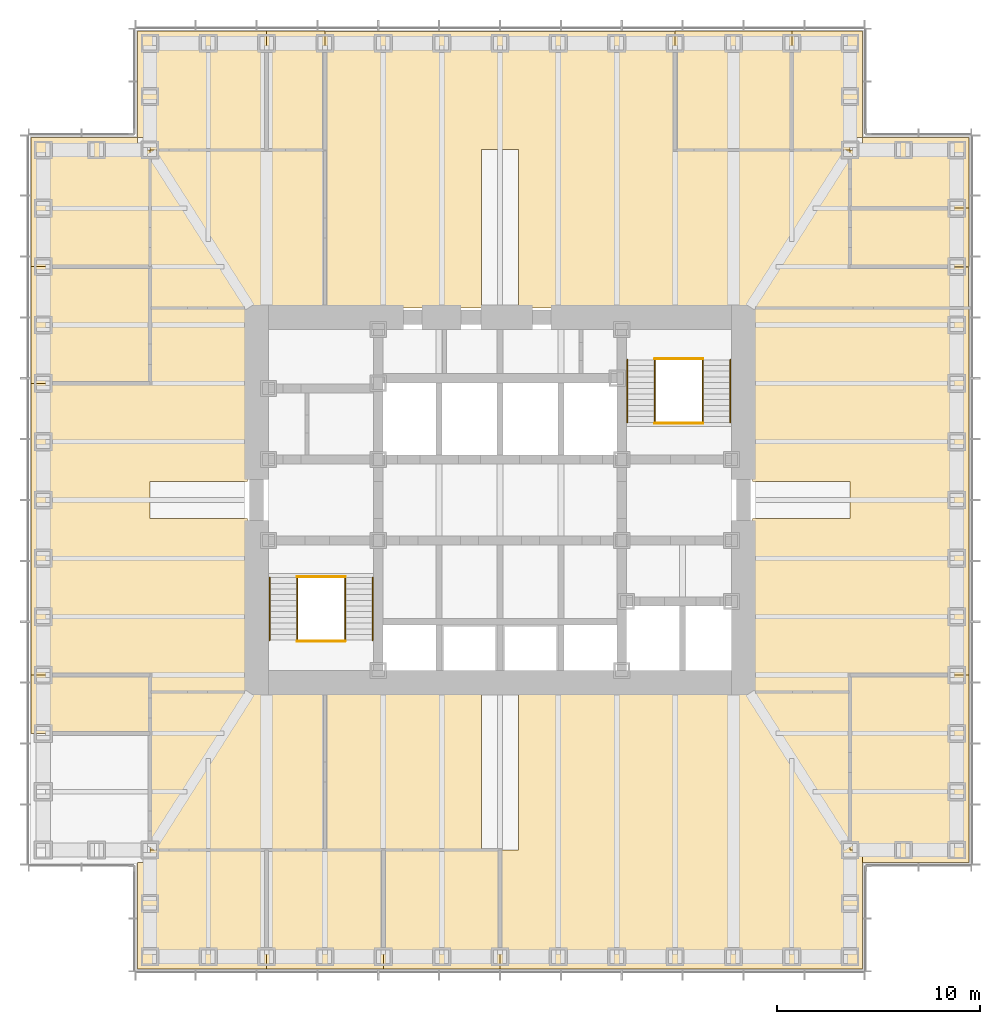
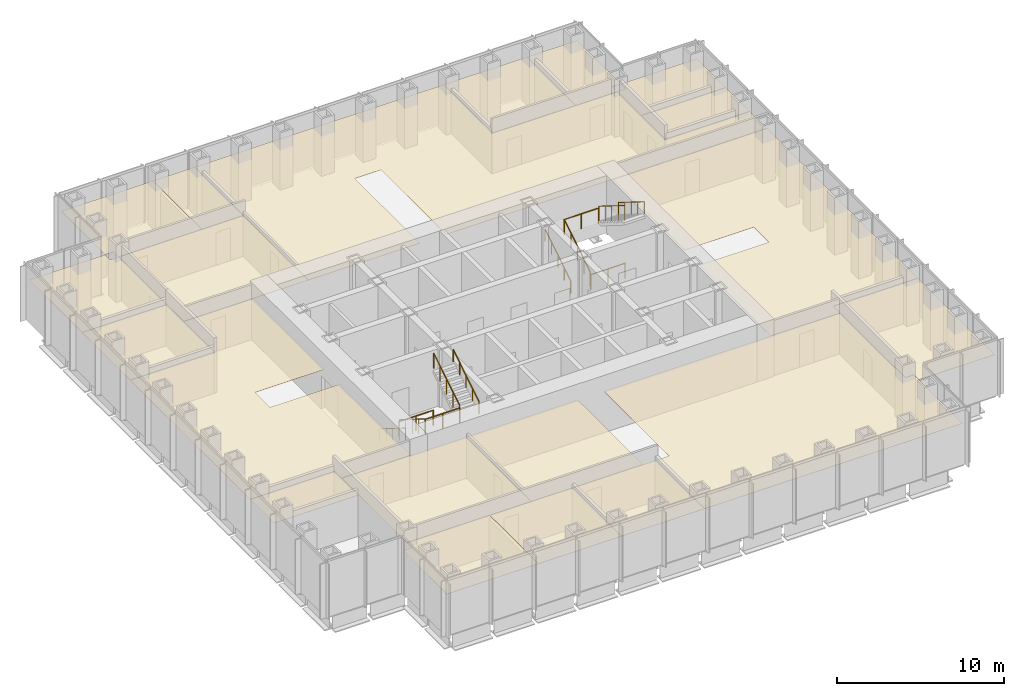
# One storey, part 16 of 16: 20 coverings, 12 railings.
"""IFC4 building model written with IfcOpenShell, lengths in metres."""

from ifc_helpers import new_model, si_unit, direction, frame, origin, origin_2d, place, context, subcontext, project, spatial, polyline, circle, outline, extrude, material, layer, layer_set, type_object, element, save


model = new_model("IFC4")

# Units and contexts
model_context = context("Model", 3, precision=1e-05, world=origin(), true_north=direction((0.0, 1.0)))
body_context = subcontext(model_context, "Body", "Model", "MODEL_VIEW")
ifc_project = project(units=[si_unit("LENGTHUNIT", "METRE"), si_unit("AREAUNIT", "SQUARE_METRE"), si_unit("VOLUMEUNIT", "CUBIC_METRE"), si_unit("PLANEANGLEUNIT", "RADIAN"), si_unit("MASSUNIT", "GRAM", prefix="KILO")], contexts=[model_context])

# Site, building, storey
site_placement = place(None, origin())
site = spatial("IfcSite", under=ifc_project, at=site_placement, CompositionType="ELEMENT")
building_placement = place(site_placement, origin())
building = spatial("IfcBuilding", under=site, at=building_placement, Name="Daluyong Arena Tower", CompositionType="ELEMENT")
storey_placement = place(building_placement, frame((0.0, 0.0, 162.699951171875)))
storey = spatial("IfcBuildingStorey", under=building, at=storey_placement, Name="L36", CompositionType="ELEMENT", Elevation=162.699951171875)

# Coverings
ifc_material_1 = material(Name="Mineral fibre ceiling tile", Category="gypsum board")
ifc_layer = layer(ifc_material_1, 0.02001953125)
ifc_layer_set = layer_set([ifc_layer], Name="Mineral fibre ceiling tile")
covering_type = type_object("IfcCoveringType", Name="Office ceiling", PredefinedType="CEILING", material=ifc_layer_set)
covering_1_placement = place(storey_placement, frame((0.0, 0.0, 2.900146484375)))
element("IfcCovering", 1, at=covering_1_placement, inside=storey, type_object=covering_type, Name="ceiling L36-01", PredefinedType="CEILING", context=body_context, shape_type="SweptSolid", body=[
    extrude(outline(polyline([(38.14990234375, 62.14990234375), (38.14990234375, 56.89990234375), (44.5, 56.89990234375), (44.5, 62.75), (38.75, 62.75), (38.75, 62.14990234375), (38.14990234375, 62.14990234375)])), origin(), (0.0, 0.0, 1.0), 0.02001953125),
])
covering_2_placement = place(storey_placement, frame((0.0, 0.0, 2.900146484375)))
element("IfcCovering", 2, at=covering_2_placement, inside=storey, type_object=covering_type, Name="ceiling L36-02", PredefinedType="CEILING", context=body_context, shape_type="SweptSolid", body=[
    extrude(outline(polyline([(44.5, 62.75), (44.5, 56.89990234375), (50.25, 56.89990234375), (50.25, 62.75), (44.5, 62.75)])), origin(), (0.0, 0.0, 1.0), 0.02001953125),
])
covering_3_placement = place(storey_placement, frame((0.0, 0.0, 2.900146484375)))
element("IfcCovering", 3, at=covering_3_placement, inside=storey, type_object=covering_type, Name="ceiling L36-03", PredefinedType="CEILING", context=body_context, shape_type="SweptSolid", body=[
    extrude(outline(polyline([(50.25, 62.75), (50.25, 56.89990234375), (56.0, 56.89990234375), (56.0, 62.75), (50.25, 62.75)])), origin(), (0.0, 0.0, 1.0), 0.02001953125),
])
covering_4_placement = place(storey_placement, frame((0.0, 0.0, 2.900146484375)))
element("IfcCovering", 4, at=covering_4_placement, inside=storey, type_object=covering_type, Name="ceiling L36-04", PredefinedType="CEILING", context=body_context, shape_type="SweptSolid", body=[
    extrude(outline(polyline([(73.85009765625, 62.14990234375), (79.10009765625, 62.14990234375), (79.10009765625, 71.375), (73.25, 71.375), (73.25, 62.75), (73.85009765625, 62.75), (73.85009765625, 62.14990234375)])), origin(), (0.0, 0.0, 1.0), 0.02001953125),
])
covering_5_placement = place(storey_placement, frame((0.0, 0.0, 2.900146484375)))
element("IfcCovering", 5, at=covering_5_placement, inside=storey, type_object=covering_type, Name="ceiling L36-05", PredefinedType="CEILING", context=body_context, shape_type="SweptSolid", body=[
    extrude(outline(polyline([(73.25, 91.5), (79.10009765625, 91.5), (79.10009765625, 94.375), (73.25, 94.375), (73.25, 91.5)])), origin(), (0.0, 0.0, 1.0), 0.02001953125),
])
covering_6_placement = place(storey_placement, frame((0.0, 0.0, 2.900146484375)))
element("IfcCovering", 6, at=covering_6_placement, inside=storey, type_object=covering_type, Name="ceiling L36-06", PredefinedType="CEILING", context=body_context, shape_type="SweptSolid", body=[
    extrude(outline(polyline([(73.25, 94.375), (79.10009765625, 94.375), (79.10009765625, 97.85009765625), (73.85009765625, 97.85009765625), (73.85009765625, 97.25), (73.25, 97.25), (73.25, 94.375)])), origin(), (0.0, 0.0, 1.0), 0.02001953125),
])
covering_7_placement = place(storey_placement, frame((0.0, 0.0, 2.900146484375)))
element("IfcCovering", 7, at=covering_7_placement, inside=storey, type_object=covering_type, Name="ceiling L36-07", PredefinedType="CEILING", context=body_context, shape_type="SweptSolid", body=[
    extrude(outline(polyline([(44.5, 97.25), (44.5, 103.10009765625), (38.14990234375, 103.10009765625), (38.14990234375, 97.85009765625), (38.75, 97.85009765625), (38.75, 97.25), (44.5, 97.25)])), origin(), (0.0, 0.0, 1.0), 0.02001953125),
])
covering_8_placement = place(storey_placement, frame((0.0, 0.0, 2.900146484375)))
element("IfcCovering", 8, at=covering_8_placement, inside=storey, type_object=covering_type, Name="ceiling L36-08", PredefinedType="CEILING", context=body_context, shape_type="SweptSolid", body=[
    extrude(outline(polyline([(47.375, 97.25), (47.375, 103.10009765625), (44.5, 103.10009765625), (44.5, 97.25), (47.375, 97.25)])), origin(), (0.0, 0.0, 1.0), 0.02001953125),
])
covering_9_placement = place(storey_placement, frame((0.0, 0.0, 2.900146484375)))
element("IfcCovering", 9, at=covering_9_placement, inside=storey, type_object=covering_type, Name="ceiling L36-09", PredefinedType="CEILING", context=body_context, shape_type="SweptSolid", body=[
    extrude(outline(polyline([(70.375, 97.25), (70.375, 103.10009765625), (64.625, 103.10009765625), (64.625, 97.25), (70.375, 97.25)])), origin(), (0.0, 0.0, 1.0), 0.02001953125),
])
covering_10_placement = place(storey_placement, frame((0.0, 0.0, 2.900146484375)))
element("IfcCovering", 10, at=covering_10_placement, inside=storey, type_object=covering_type, Name="ceiling L36-10", PredefinedType="CEILING", context=body_context, shape_type="SweptSolid", body=[
    extrude(outline(polyline([(70.375, 97.25), (73.25, 97.25), (73.25, 97.85009765625), (73.85009765625, 97.85009765625), (73.85009765625, 103.10009765625), (70.375, 103.10009765625), (70.375, 97.25)])), origin(), (0.0, 0.0, 1.0), 0.02001953125),
])
covering_11_placement = place(storey_placement, frame((0.0, 0.0, 2.900146484375)))
element("IfcCovering", 11, at=covering_11_placement, inside=storey, type_object=covering_type, Name="ceiling L36-12", PredefinedType="CEILING", context=body_context, shape_type="SweptSolid", body=[
    extrude(outline(polyline([(38.75, 71.375), (32.89990234375, 71.375), (32.89990234375, 68.5), (38.75, 68.5), (38.75, 71.375)])), origin(), (0.0, 0.0, 1.0), 0.02001953125),
])
covering_12_placement = place(storey_placement, frame((0.0, 0.0, 2.900146484375)))
element("IfcCovering", 12, at=covering_12_placement, inside=storey, type_object=covering_type, Name="ceiling L36-13", PredefinedType="CEILING", context=body_context, shape_type="SweptSolid", body=[
    extrude(outline(polyline([(38.75, 91.5), (32.89990234375, 91.5), (32.89990234375, 85.75), (38.75, 85.75), (38.75, 91.5)])), origin(), (0.0, 0.0, 1.0), 0.02001953125),
])
covering_13_placement = place(storey_placement, frame((0.0, 0.0, 2.900146484375)))
element("IfcCovering", 13, at=covering_13_placement, inside=storey, type_object=covering_type, Name="ceiling L36-14", PredefinedType="CEILING", context=body_context, shape_type="SweptSolid", body=[
    extrude(outline(polyline([(38.75, 91.5), (38.75, 97.25), (38.14990234375, 97.25), (38.14990234375, 97.85009765625), (32.89990234375, 97.85009765625), (32.89990234375, 91.5), (38.75, 91.5)])), origin(), (0.0, 0.0, 1.0), 0.02001953125),
])
covering_14_placement = place(storey_placement, frame((0.0, 0.0, 2.900146484375)))
element("IfcCovering", 14, at=covering_14_placement, inside=storey, type_object=covering_type, Name="ceiling L36-19", PredefinedType="CEILING", context=body_context, shape_type="SweptSolid", body=[
    extrude(outline(polyline([(79.10009765625, 71.375), (79.10009765625, 89.449951171875), (68.449951171875, 89.449951171875), (68.449951171875, 80.89990234375), (73.25, 80.89990234375), (73.25, 79.10009765625), (68.449951171875, 79.10009765625), (68.449951171875, 70.550048828125), (73.25, 70.550048828125), (73.25, 71.375), (79.10009765625, 71.375)])), origin(), (0.0, 0.0, 1.0), 0.02001953125),
])
covering_15_placement = place(storey_placement, frame((0.0, 0.0, 2.900146484375)))
element("IfcCovering", 15, at=covering_15_placement, inside=storey, type_object=covering_type, Name="ceiling L36-20", PredefinedType="CEILING", context=body_context, shape_type="SweptSolid", body=[
    extrude(outline(polyline([(43.550048828125, 80.89990234375), (43.550048828125, 89.449951171875), (38.75, 89.449951171875), (38.75, 85.75), (32.89990234375, 85.75), (32.89990234375, 71.375), (38.75, 71.375), (38.75, 70.550048828125), (43.550048828125, 70.550048828125), (43.550048828125, 79.10009765625), (38.75, 79.10009765625), (38.75, 80.89990234375), (43.550048828125, 80.89990234375)])), origin(), (0.0, 0.0, 1.0), 0.02001953125),
])
covering_16_placement = place(storey_placement, frame((0.0, 0.0, 2.900146484375)))
element("IfcCovering", 16, at=covering_16_placement, inside=storey, type_object=covering_type, Name="ceiling L36-21", PredefinedType="CEILING", context=body_context, shape_type="SweptSolid", body=[
    extrude(outline(polyline([(38.760009765625, 62.760009765625), (47.364990234375, 62.760009765625), (47.364990234375, 70.5400390625), (38.760009765625, 70.5400390625), (38.760009765625, 62.760009765625)])), origin(), (0.0, 0.0, 1.0), 0.02001953125),
])
covering_17_placement = place(storey_placement, frame((0.0, 0.0, 2.900146484375)))
element("IfcCovering", 17, at=covering_17_placement, inside=storey, type_object=covering_type, Name="ceiling L36-22", PredefinedType="CEILING", context=body_context, shape_type="SweptSolid", body=[
    extrude(outline(polyline([(73.25, 62.75), (73.25, 70.550048828125), (56.89990234375, 70.550048828125), (56.89990234375, 62.75), (56.0, 62.75), (56.0, 56.89990234375), (73.85009765625, 56.89990234375), (73.85009765625, 62.75), (73.25, 62.75)])), origin(), (0.0, 0.0, 1.0), 0.02001953125),
])
covering_18_placement = place(storey_placement, frame((0.0, 0.0, 2.900146484375)))
element("IfcCovering", 18, at=covering_18_placement, inside=storey, type_object=covering_type, Name="ceiling L36-23", PredefinedType="CEILING", context=body_context, shape_type="SweptSolid", body=[
    extrude(outline(polyline([(55.10009765625, 70.550048828125), (47.375, 70.550048828125), (47.375, 62.75), (55.10009765625, 62.75), (55.10009765625, 70.550048828125)])), origin(), (0.0, 0.0, 1.0), 0.02001953125),
])
covering_19_placement = place(storey_placement, frame((0.0, 0.0, 2.900146484375)))
element("IfcCovering", 19, at=covering_19_placement, inside=storey, type_object=covering_type, Name="ceiling L36-24", PredefinedType="CEILING", context=body_context, shape_type="SweptSolid", body=[
    extrude(outline(polyline([(38.760009765625, 97.239990234375), (38.760009765625, 89.4599609375), (47.364990234375, 89.4599609375), (47.364990234375, 97.239990234375), (38.760009765625, 97.239990234375)])), origin(), (0.0, 0.0, 1.0), 0.02001953125),
])
covering_20_placement = place(storey_placement, frame((0.0, 0.0, 2.900146484375)))
element("IfcCovering", 20, at=covering_20_placement, inside=storey, type_object=covering_type, Name="ceiling L36-25", PredefinedType="CEILING", context=body_context, shape_type="SweptSolid", body=[
    extrude(outline(polyline([(64.614990234375, 103.090087890625), (47.385009765625, 103.090087890625), (47.385009765625, 89.4599609375), (55.090087890625, 89.4599609375), (55.090087890625, 97.260009765625), (56.909912109375, 97.260009765625), (56.909912109375, 89.4599609375), (79.090087890625, 89.4599609375), (79.090087890625, 91.489990234375), (73.239990234375, 91.489990234375), (73.239990234375, 97.239990234375), (64.614990234375, 97.239990234375), (64.614990234375, 103.090087890625)])), origin(), (0.0, 0.0, 1.0), 0.02001953125),
])

# Railings
ifc_material_2 = material(Name="Stainless steel handrail", Category="steel")
railing_type_1 = type_object("IfcRailingType", Name="Stair handrail", PredefinedType="HANDRAIL", material=ifc_material_2)
railing_1_placement = place(storey_placement, frame((44.64990234375, 76.175048828125, 0.175048828125)))
element("IfcRailing", 21, at=railing_1_placement, inside=storey, type_object=railing_type_1, Name="exit stair A handrail L36", PredefinedType="HANDRAIL", context=body_context, shape_type="SweptSolid", body=[
    extrude(circle(Radius=0.02392578125, at=origin_2d()), frame((0.0, 0.0, 0.8759765625), z_axis=(0.0, -0.847998304005, 0.529998940003), x_axis=(1.0, 0.0, 0.0)), (0.0, 0.0, 1.0), 3.632080078125),
    extrude(circle(Radius=0.02099609375, at=origin_2d()), origin(), (0.0, 0.0, 1.0), 0.851806640625),
    extrude(circle(Radius=0.02099609375, at=origin_2d()), frame((0.0, -0.77001953125, 0.481201171875)), (0.0, 0.0, 1.0), 0.851806640625),
    extrude(circle(Radius=0.02099609375, at=origin_2d()), frame((0.0, -1.5400390625, 0.96240234375)), (0.0, 0.0, 1.0), 0.851806640625),
    extrude(circle(Radius=0.02099609375, at=origin_2d()), frame((0.0, -2.31005859375, 1.44384765625)), (0.0, 0.0, 1.0), 0.851806640625),
    extrude(circle(Radius=0.02099609375, at=origin_2d()), frame((0.0, -3.080078125, 1.925048828125)), (0.0, 0.0, 1.0), 0.851806640625),
])
railing_2_placement = place(storey_placement, frame((49.72509765625, 73.094970703125, 2.275146484375)))
element("IfcRailing", 22, at=railing_2_placement, inside=storey, type_object=railing_type_1, Name="exit stair A handrail L36", PredefinedType="HANDRAIL", context=body_context, shape_type="SweptSolid", body=[
    extrude(circle(Radius=0.02392578125, at=origin_2d()), frame((0.0, 0.0, 0.8759765625), z_axis=(0.0, 0.848028513186, 0.529950602248), x_axis=(-1.0, 0.0, 0.0)), (0.0, 0.0, 1.0), 3.632080078125),
    extrude(circle(Radius=0.02099609375, at=origin_2d()), origin(), (0.0, 0.0, 1.0), 0.851806640625),
    extrude(circle(Radius=0.02099609375, at=origin_2d()), frame((0.0, 0.77001953125, 0.481201171875)), (0.0, 0.0, 1.0), 0.851806640625),
    extrude(circle(Radius=0.02099609375, at=origin_2d()), frame((0.0, 1.5400390625, 0.96240234375)), (0.0, 0.0, 1.0), 0.851806640625),
    extrude(circle(Radius=0.02099609375, at=origin_2d()), frame((0.0, 2.31005859375, 1.443603515625)), (0.0, 0.0, 1.0), 0.851806640625),
    extrude(circle(Radius=0.02099609375, at=origin_2d()), frame((0.0, 3.080078125, 1.9248046875)), (0.0, 0.0, 1.0), 0.851806640625),
])
railing_3_placement = place(storey_placement, frame((62.27490234375, 83.824951171875, 0.175048828125)))
element("IfcRailing", 23, at=railing_3_placement, inside=storey, type_object=railing_type_1, Name="exit stair B handrail L36", PredefinedType="HANDRAIL", context=body_context, shape_type="SweptSolid", body=[
    extrude(circle(Radius=0.02392578125, at=origin_2d()), frame((0.0, 0.0, 0.8759765625), z_axis=(0.0, 0.847998304005, 0.529998940003), x_axis=(-1.0, 0.0, 0.0)), (0.0, 0.0, 1.0), 3.632080078125),
    extrude(circle(Radius=0.02099609375, at=origin_2d()), origin(), (0.0, 0.0, 1.0), 0.851806640625),
    extrude(circle(Radius=0.02099609375, at=origin_2d()), frame((0.0, 0.77001953125, 0.481201171875)), (0.0, 0.0, 1.0), 0.851806640625),
    extrude(circle(Radius=0.02099609375, at=origin_2d()), frame((0.0, 1.5400390625, 0.96240234375)), (0.0, 0.0, 1.0), 0.851806640625),
    extrude(circle(Radius=0.02099609375, at=origin_2d()), frame((0.0, 2.31005859375, 1.44384765625)), (0.0, 0.0, 1.0), 0.851806640625),
    extrude(circle(Radius=0.02099609375, at=origin_2d()), frame((0.0, 3.080078125, 1.925048828125)), (0.0, 0.0, 1.0), 0.851806640625),
])
railing_4_placement = place(storey_placement, frame((67.35009765625, 86.905029296875, 2.275146484375)))
element("IfcRailing", 24, at=railing_4_placement, inside=storey, type_object=railing_type_1, Name="exit stair B handrail L36", PredefinedType="HANDRAIL", context=body_context, shape_type="SweptSolid", body=[
    extrude(circle(Radius=0.02392578125, at=origin_2d()), frame((0.0, 0.0, 0.8759765625), z_axis=(0.0, -0.848028513186, 0.529950602248), x_axis=(1.0, 0.0, 0.0)), (0.0, 0.0, 1.0), 3.632080078125),
    extrude(circle(Radius=0.02099609375, at=origin_2d()), origin(), (0.0, 0.0, 1.0), 0.851806640625),
    extrude(circle(Radius=0.02099609375, at=origin_2d()), frame((0.0, -0.77001953125, 0.481201171875)), (0.0, 0.0, 1.0), 0.851806640625),
    extrude(circle(Radius=0.02099609375, at=origin_2d()), frame((0.0, -1.5400390625, 0.96240234375)), (0.0, 0.0, 1.0), 0.851806640625),
    extrude(circle(Radius=0.02099609375, at=origin_2d()), frame((0.0, -2.31005859375, 1.443603515625)), (0.0, 0.0, 1.0), 0.851806640625),
    extrude(circle(Radius=0.02099609375, at=origin_2d()), frame((0.0, -3.080078125, 1.9248046875)), (0.0, 0.0, 1.0), 0.851806640625),
])
ifc_material_3 = material(Name="Steel balustrade", Category="steel")
railing_type_2 = type_object("IfcRailingType", Name="Stair well guard 1100", PredefinedType="GUARDRAIL", material=ifc_material_3)
railing_5_placement = place(storey_placement, frame((46.0, 76.175048828125, 0.175048828125)))
element("IfcRailing", 25, at=railing_5_placement, inside=storey, type_object=railing_type_2, Name="exit stair A well guard L36", PredefinedType="GUARDRAIL", context=body_context, shape_type="SweptSolid", body=[
    extrude(circle(Radius=0.02392578125, at=origin_2d()), frame((0.0, 0.0, 1.076171875), z_axis=(0.0, -0.847998304005, 0.529998940003), x_axis=(1.0, 0.0, 0.0)), (0.0, 0.0, 1.0), 3.632080078125),
    extrude(circle(Radius=0.02099609375, at=origin_2d()), origin(), (0.0, 0.0, 1.0), 1.052001953125),
    extrude(circle(Radius=0.02099609375, at=origin_2d()), frame((0.0, -0.77001953125, 0.481201171875)), (0.0, 0.0, 1.0), 1.052001953125),
    extrude(circle(Radius=0.02099609375, at=origin_2d()), frame((0.0, -1.5400390625, 0.96240234375)), (0.0, 0.0, 1.0), 1.052001953125),
    extrude(circle(Radius=0.02099609375, at=origin_2d()), frame((0.0, -2.31005859375, 1.44384765625)), (0.0, 0.0, 1.0), 1.052001953125),
    extrude(circle(Radius=0.02099609375, at=origin_2d()), frame((0.0, -3.080078125, 1.925048828125)), (0.0, 0.0, 1.0), 1.052001953125),
])
railing_6_placement = place(storey_placement, frame((48.375, 73.094970703125, 2.275146484375)))
element("IfcRailing", 26, at=railing_6_placement, inside=storey, type_object=railing_type_2, Name="exit stair A well guard L36", PredefinedType="GUARDRAIL", context=body_context, shape_type="SweptSolid", body=[
    extrude(circle(Radius=0.02392578125, at=origin_2d()), frame((0.0, 0.0, 1.076171875), z_axis=(0.0, 0.848028513186, 0.529950602248), x_axis=(-1.0, 0.0, 0.0)), (0.0, 0.0, 1.0), 3.632080078125),
    extrude(circle(Radius=0.02099609375, at=origin_2d()), origin(), (0.0, 0.0, 1.0), 1.052001953125),
    extrude(circle(Radius=0.02099609375, at=origin_2d()), frame((0.0, 0.77001953125, 0.481201171875)), (0.0, 0.0, 1.0), 1.052001953125),
    extrude(circle(Radius=0.02099609375, at=origin_2d()), frame((0.0, 1.5400390625, 0.96240234375)), (0.0, 0.0, 1.0), 1.052001953125),
    extrude(circle(Radius=0.02099609375, at=origin_2d()), frame((0.0, 2.31005859375, 1.443603515625)), (0.0, 0.0, 1.0), 1.052001953125),
    extrude(circle(Radius=0.02099609375, at=origin_2d()), frame((0.0, 3.080078125, 1.9248046875)), (0.0, 0.0, 1.0), 1.052001953125),
])
for number, where, name in (
    (27, (46.0, 73.044921875, 2.10009765625), "exit stair A landing guard L36"),
    (28, (46.0, 76.22509765625, 0.0), "exit stair A floor landing guard L36"),
):
    element("IfcRailing", number, at=place(storey_placement, frame(where)), inside=storey, type_object=railing_type_2, Name=name, PredefinedType="GUARDRAIL", context=body_context, shape_type="SweptSolid", body=[
        extrude(circle(Radius=0.02392578125, at=origin_2d()), frame((0.0, 0.0, 1.076171875), z_axis=(1.0, 0.0, 0.0), x_axis=(0.0, 1.0, 0.0)), (0.0, 0.0, 1.0), 2.375),
        extrude(circle(Radius=0.02099609375, at=origin_2d()), origin(), (0.0, 0.0, 1.0), 1.052001953125),
        extrude(circle(Radius=0.02099609375, at=origin_2d()), frame((1.1875, 0.0, 0.0)), (0.0, 0.0, 1.0), 1.052001953125),
        extrude(circle(Radius=0.02099609375, at=origin_2d()), frame((2.375, 0.0, 0.0)), (0.0, 0.0, 1.0), 1.052001953125),
    ])
railing_7_placement = place(storey_placement, frame((63.625, 83.824951171875, 0.175048828125)))
element("IfcRailing", 29, at=railing_7_placement, inside=storey, type_object=railing_type_2, Name="exit stair B well guard L36", PredefinedType="GUARDRAIL", context=body_context, shape_type="SweptSolid", body=[
    extrude(circle(Radius=0.02392578125, at=origin_2d()), frame((0.0, 0.0, 1.076171875), z_axis=(0.0, 0.847998304005, 0.529998940003), x_axis=(-1.0, 0.0, 0.0)), (0.0, 0.0, 1.0), 3.632080078125),
    extrude(circle(Radius=0.02099609375, at=origin_2d()), origin(), (0.0, 0.0, 1.0), 1.052001953125),
    extrude(circle(Radius=0.02099609375, at=origin_2d()), frame((0.0, 0.77001953125, 0.481201171875)), (0.0, 0.0, 1.0), 1.052001953125),
    extrude(circle(Radius=0.02099609375, at=origin_2d()), frame((0.0, 1.5400390625, 0.96240234375)), (0.0, 0.0, 1.0), 1.052001953125),
    extrude(circle(Radius=0.02099609375, at=origin_2d()), frame((0.0, 2.31005859375, 1.44384765625)), (0.0, 0.0, 1.0), 1.052001953125),
    extrude(circle(Radius=0.02099609375, at=origin_2d()), frame((0.0, 3.080078125, 1.925048828125)), (0.0, 0.0, 1.0), 1.052001953125),
])
railing_8_placement = place(storey_placement, frame((66.0, 86.905029296875, 2.275146484375)))
element("IfcRailing", 30, at=railing_8_placement, inside=storey, type_object=railing_type_2, Name="exit stair B well guard L36", PredefinedType="GUARDRAIL", context=body_context, shape_type="SweptSolid", body=[
    extrude(circle(Radius=0.02392578125, at=origin_2d()), frame((0.0, 0.0, 1.076171875), z_axis=(0.0, -0.848028513186, 0.529950602248), x_axis=(1.0, 0.0, 0.0)), (0.0, 0.0, 1.0), 3.632080078125),
    extrude(circle(Radius=0.02099609375, at=origin_2d()), origin(), (0.0, 0.0, 1.0), 1.052001953125),
    extrude(circle(Radius=0.02099609375, at=origin_2d()), frame((0.0, -0.77001953125, 0.481201171875)), (0.0, 0.0, 1.0), 1.052001953125),
    extrude(circle(Radius=0.02099609375, at=origin_2d()), frame((0.0, -1.5400390625, 0.96240234375)), (0.0, 0.0, 1.0), 1.052001953125),
    extrude(circle(Radius=0.02099609375, at=origin_2d()), frame((0.0, -2.31005859375, 1.443603515625)), (0.0, 0.0, 1.0), 1.052001953125),
    extrude(circle(Radius=0.02099609375, at=origin_2d()), frame((0.0, -3.080078125, 1.9248046875)), (0.0, 0.0, 1.0), 1.052001953125),
])
for number, where, name in (
    (31, (63.625, 86.955078125, 2.10009765625), "exit stair B landing guard L36"),
    (32, (63.625, 83.77490234375, 0.0), "exit stair B floor landing guard L36"),
):
    element("IfcRailing", number, at=place(storey_placement, frame(where)), inside=storey, type_object=railing_type_2, Name=name, PredefinedType="GUARDRAIL", context=body_context, shape_type="SweptSolid", body=[
        extrude(circle(Radius=0.02392578125, at=origin_2d()), frame((0.0, 0.0, 1.076171875), z_axis=(1.0, 0.0, 0.0), x_axis=(0.0, 1.0, 0.0)), (0.0, 0.0, 1.0), 2.375),
        extrude(circle(Radius=0.02099609375, at=origin_2d()), origin(), (0.0, 0.0, 1.0), 1.052001953125),
        extrude(circle(Radius=0.02099609375, at=origin_2d()), frame((1.1875, 0.0, 0.0)), (0.0, 0.0, 1.0), 1.052001953125),
        extrude(circle(Radius=0.02099609375, at=origin_2d()), frame((2.375, 0.0, 0.0)), (0.0, 0.0, 1.0), 1.052001953125),
    ])

save(model, "model.ifc")
